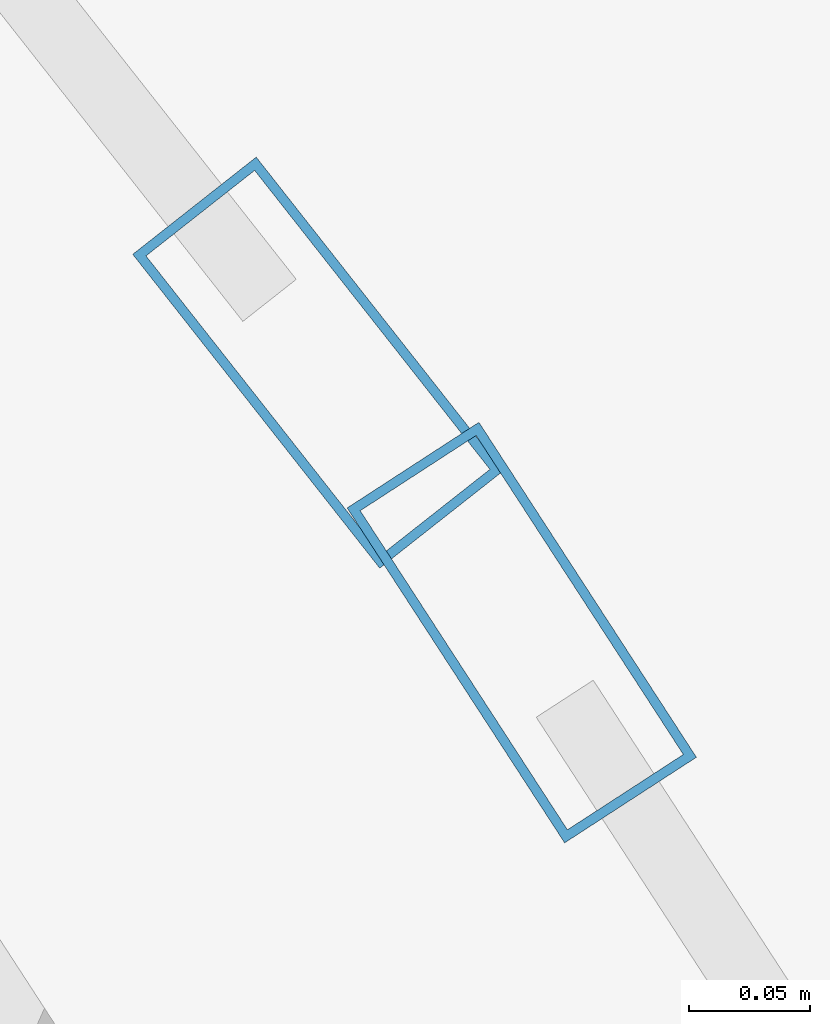
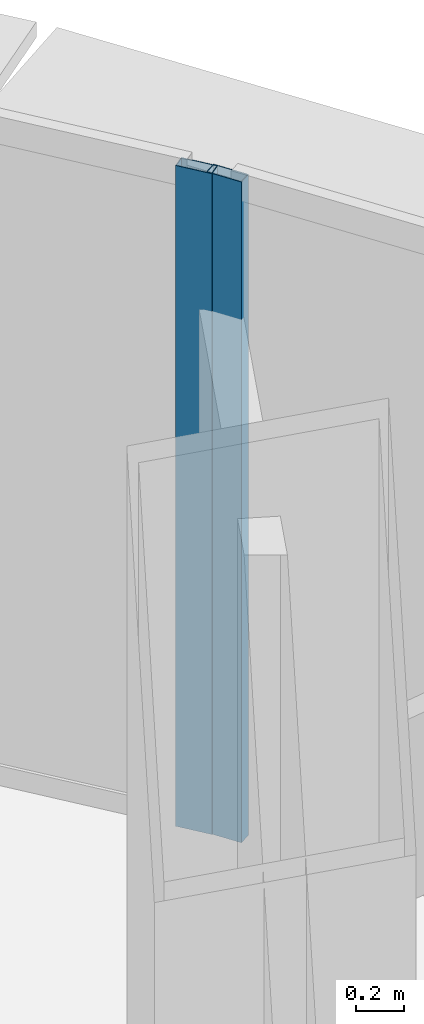
# One storey, part 19 of 38: 2 members, 2 elements without a shape of their own.
"""IFC4 building model written with IfcOpenShell, lengths in metres."""

from ifc_helpers import new_model, si_unit, direction, frame, origin, origin_2d, place, context, subcontext, project, spatial, hollow_rectangle, extrude, source, transform, mapped, material, layer, layer_set, material_profile, profile_set, type_object, element, aggregate, save


model = new_model("IFC4")

# Units and contexts
model_context = context("Model", 3, precision=1e-05, world=origin(), true_north=direction((0.0, 1.0)))
body_context = subcontext(model_context, "Body", "Model", "MODEL_VIEW")
ifc_project = project(units=[si_unit("LENGTHUNIT", "METRE"), si_unit("AREAUNIT", "SQUARE_METRE"), si_unit("VOLUMEUNIT", "CUBIC_METRE"), si_unit("PLANEANGLEUNIT", "RADIAN"), si_unit("MASSUNIT", "GRAM", prefix="KILO"), si_unit("THERMODYNAMICTEMPERATUREUNIT", "KELVIN"), si_unit("POWERUNIT", "WATT")], contexts=[model_context])

# Site, building, storey
site_placement = place(None, origin())
site = spatial("IfcSite", under=ifc_project, at=site_placement, CompositionType="ELEMENT")
building_placement = place(site_placement, origin())
building = spatial("IfcBuilding", under=site, at=building_placement, Name="Yunzhuo Pagoda Commons", CompositionType="ELEMENT")
storey_placement = place(building_placement, frame((0.0, 0.0, 34.030029296875)))
storey = spatial("IfcBuildingStorey", under=building, at=storey_placement, Name="L08", CompositionType="ELEMENT", Elevation=34.030029296875)

# Curtain wall, member
ifc_material = material(Name="Anodized aluminium 6063-T6", Category="aluminium")
ifc_layer = layer(ifc_material, 0.1650390625)
ifc_layer_set = layer_set([ifc_layer], Name="Anodized aluminium 6063-T6")
curtain_wall_type = type_object("IfcCurtainWallType", Name="CW-LOW Low-Zone Ribbon Curtain Wall", PredefinedType="NOTDEFINED", material=ifc_layer_set)
curtain_wall_1_placement = place(storey_placement, origin())
curtain_wall_1 = element("IfcCurtainWall", 1, at=curtain_wall_1_placement, inside=storey, type_object=curtain_wall_type, Name="L08 curtain wall CW-L08-F2B4", PredefinedType="NOTDEFINED")
ifc_material_profile = material_profile(ifc_material, hollow_rectangle(XDim=0.06494140625, YDim=0.1650390625, WallThickness=0.00390625, at=origin_2d()), Name="Anodized aluminium 6063-T6")
ifc_profile_set = profile_set([ifc_material_profile], Name="Anodized aluminium 6063-T6")
member_type = type_object("IfcMemberType", Name="CW-LOW-M Mullion RHS 165x65x4", PredefinedType="MULLION", material=ifc_profile_set)
shared_shape = source(origin(), body_context, "Body", "SweptSolid", [
    extrude(hollow_rectangle(XDim=0.06494140625, YDim=0.1650390625, WallThickness=0.00390625, at=origin_2d()), origin(), (0.0, 0.0, 1.0), 3.369873046875),
])
member_1_placement = place(storey_placement, frame((65.45703125, 72.84228515625, 0.0), z_axis=(0.0, 0.0, 1.0), x_axis=(-0.83865240069, -0.544667009114, 0.0)))
member_1 = element("IfcMember", 2, at=member_1_placement, type_object=member_type, Name="CW mullion 2", PredefinedType="MULLION", context=body_context, shape_type="MappedRepresentation", body=[
    mapped(shared_shape, transform((0.0, 0.0, 0.0), scale=1.0)),
])
aggregate(curtain_wall_1, [member_1])

curtain_wall_2_placement = place(storey_placement, origin())
curtain_wall_2 = element("IfcCurtainWall", 3, at=curtain_wall_2_placement, inside=storey, type_object=curtain_wall_type, Name="L08 curtain wall CW-L08-F2B5", PredefinedType="NOTDEFINED")
member_2_placement = place(storey_placement, frame((65.372802734375, 72.953857421875, 0.0), z_axis=(0.0, 0.0, 1.0), x_axis=(-0.785799632369, -0.618481153932, 0.0)))
member_2 = element("IfcMember", 4, at=member_2_placement, type_object=member_type, Name="CW mullion 1", PredefinedType="MULLION", context=body_context, shape_type="MappedRepresentation", body=[
    mapped(shared_shape, transform((0.0, 0.0, 0.0), scale=1.0)),
])
aggregate(curtain_wall_2, [member_2])

save(model, "model.ifc")
